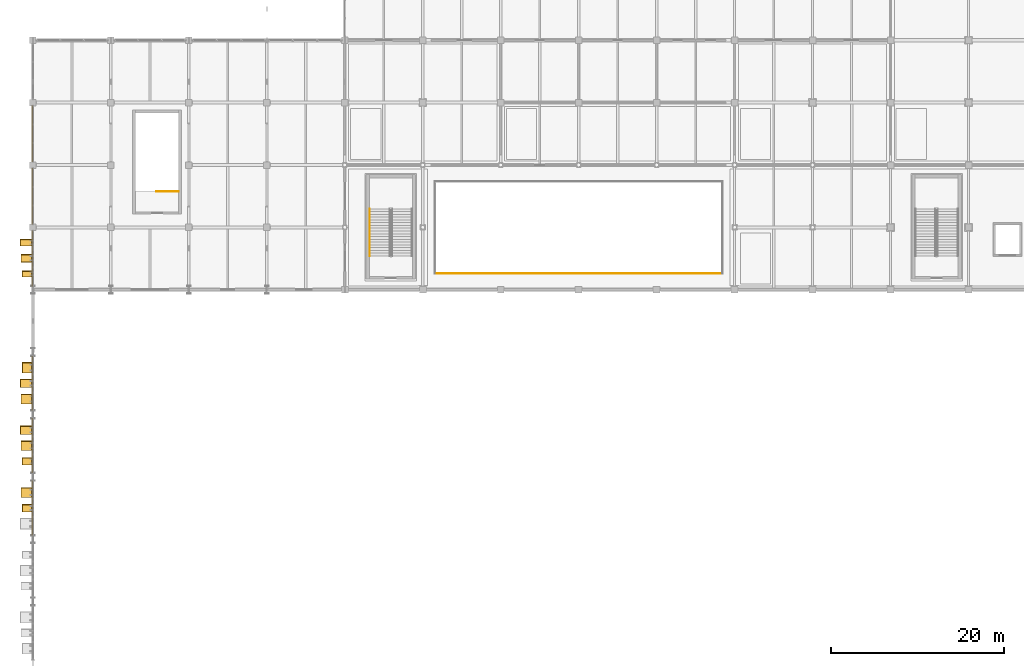
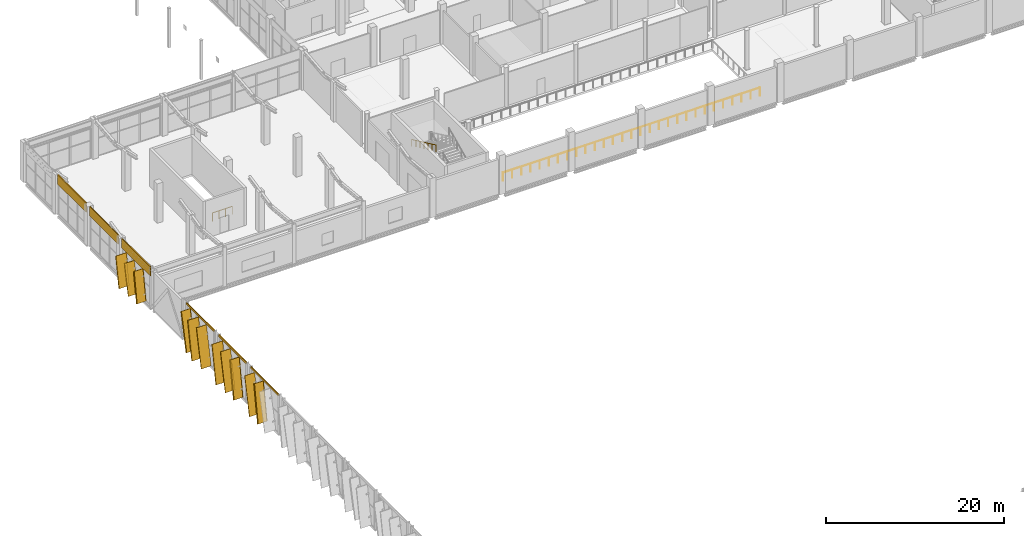
# One storey, part 160 of 189: 17 coverings, 11 shading devices, 3 railings.
"""IFC4 building model written with IfcOpenShell, lengths in metres."""

from ifc_helpers import new_model, si_unit, direction, frame, origin, origin_2d, place, context, subcontext, project, spatial, rectangle, circle, extrude, material, layer, layer_set, material_profile, profile_set, type_object, element, save


model = new_model("IFC4")

# Units and contexts
model_context = context("Model", 3, precision=1e-05, world=origin(), true_north=direction((0.0, 1.0)))
body_context = subcontext(model_context, "Body", "Model", "MODEL_VIEW")
ifc_project = project(units=[si_unit("LENGTHUNIT", "METRE"), si_unit("AREAUNIT", "SQUARE_METRE"), si_unit("VOLUMEUNIT", "CUBIC_METRE"), si_unit("PLANEANGLEUNIT", "RADIAN"), si_unit("MASSUNIT", "GRAM", prefix="KILO")], contexts=[model_context])

# Site, building, storey
site_placement = place(None, origin())
site = spatial("IfcSite", under=ifc_project, at=site_placement, CompositionType="ELEMENT")
building_placement = place(site_placement, origin())
building = spatial("IfcBuilding", under=site, at=building_placement, Name="Celestram Park Convention Centre", CompositionType="ELEMENT")
storey_placement = place(building_placement, frame((0.0, 0.0, 5.39990234375)))
storey = spatial("IfcBuildingStorey", under=building, at=storey_placement, Name="L01", CompositionType="ELEMENT", Elevation=5.39990234375)

# Coverings
ifc_material_1 = material(Name="Anodised Bronze Aluminium Spandrel Cladding", Category="aluminium")
ifc_layer_1 = layer(ifc_material_1, 0.050048828125)
ifc_layer_set_1 = layer_set([ifc_layer_1], Name="Anodised Bronze Aluminium Spandrel Cladding")
covering_type_1 = type_object("IfcCoveringType", Name="ARC-COV-CLD060", PredefinedType="CLADDING", material=ifc_layer_set_1)
covering_1_placement = place(storey_placement, frame((-0.080078125, 111.60009765625, 4.1201171875), z_axis=(0.0, 0.0, 1.0), x_axis=(0.0, 1.0, 0.0)))
element("IfcCovering", 1, at=covering_1_placement, inside=storey, type_object=covering_type_1, Name="Bronze spandrel cladding CL-L01-043", PredefinedType="CLADDING", context=body_context, shape_type="SweptSolid", body=[
    extrude(rectangle(XDim=6.363037109375, YDim=0.1201171875, at=origin_2d()), origin(), (0.0, 0.0, 1.0), 1.280029296875),
])
for number, where, z_axis, x_axis, name in (
    (2, (-0.080078125, 118.800048828125, 4.1201171875), (0.0, 0.0, 1.0), (0.0, 1.0, 0.0), "Bronze spandrel cladding CL-L01-044"),
    (3, (-0.080078125, 126.0, 4.1201171875), (0.0, 0.0, 1.0), (0.0, 1.0, 0.0), "Bronze spandrel cladding CL-L01-045"),
):
    element("IfcCovering", number, at=place(storey_placement, frame(where, z_axis=z_axis, x_axis=x_axis)), inside=storey, type_object=covering_type_1, Name=name, PredefinedType="CLADDING", context=body_context, shape_type="SweptSolid", body=[
        extrude(rectangle(XDim=6.4541015625, YDim=0.1201171875, at=origin_2d()), origin(), (0.0, 0.0, 1.0), 1.280029296875),
    ])
for number, where, z_axis, x_axis, name in (
    (4, (-0.080078125, 82.800048828125, 5.1201171875), (0.0, 0.0, 1.0), (0.0, 1.0, 0.0), "Bronze spandrel cladding CL-L01-120"),
    (5, (-0.080078125, 90.0, 5.1201171875), (0.0, 0.0, 1.0), (0.0, 1.0, 0.0), "Bronze spandrel cladding CL-L01-121"),
    (6, (-0.080078125, 97.199951171875, 5.1201171875), (0.0, 0.0, 1.0), (0.0, 1.0, 0.0), "Bronze spandrel cladding CL-L01-122"),
):
    element("IfcCovering", number, at=place(storey_placement, frame(where, z_axis=z_axis, x_axis=x_axis)), inside=storey, type_object=covering_type_1, Name=name, PredefinedType="CLADDING", context=body_context, shape_type="SweptSolid", body=[
        extrude(rectangle(XDim=6.27197265625, YDim=0.1201171875, at=origin_2d()), origin(), (0.0, 0.0, 1.0), 0.280029296875),
    ])
ifc_material_2 = material(Name="Timber-Toned Anodised Aluminium Alloy 6063-T6", Category="wood")
ifc_material_profile_1 = material_profile(ifc_material_2, rectangle(XDim=1.1201171875, YDim=0.090087890625, at=origin_2d()), Name="REED1120X90")
ifc_profile_set_1 = profile_set([ifc_material_profile_1], Name="Timber-Toned Anodised Aluminium Alloy 6063-T6")
covering_type_2 = type_object("IfcCoveringType", Name="ARC-COV-FIN1120", PredefinedType="CLADDING", material=ifc_profile_set_1)
covering_2_placement = place(storey_placement, frame((-0.639892578125, 109.5185546875, 0.031494140625), z_axis=(0.0, 0.159915531864, 0.987130701918), x_axis=(-1.0, 0.0, 0.0)))
element("IfcCovering", 7, at=covering_2_placement, inside=storey, type_object=covering_type_2, Name="Leaning timber-toned reed fin RFN-L01-0145", PredefinedType="CLADDING", context=body_context, shape_type="SweptSolid", body=[
    extrude(rectangle(XDim=1.1201171875, YDim=0.090087890625, at=origin_2d()), origin(), (0.0, 0.0, 1.0), 4.090087890625),
])
for number, where, z_axis, x_axis, name in (
    (8, (-0.639892578125, 82.39306640625, 0.037841796875), (0.0, 0.159862743671, 0.987139252176), (-1.0, 0.0, 0.0), "Leaning timber-toned reed fin RFN-L01-0370"),
    (9, (-0.639892578125, 87.793212890625, 0.037841796875), (0.0, 0.159862743671, 0.987139252176), (-1.0, 0.0, 0.0), "Leaning timber-toned reed fin RFN-L01-0372"),
    (10, (-0.639892578125, 98.41015625, 0.074462890625), (0.0, 0.231765345143, 0.972771722857), (-1.0, 0.0, 0.0), "Leaning timber-toned reed fin RFN-L01-0377"),
):
    element("IfcCovering", number, at=place(storey_placement, frame(where, z_axis=z_axis, x_axis=x_axis)), inside=storey, type_object=covering_type_2, Name=name, PredefinedType="CLADDING", context=body_context, shape_type="SweptSolid", body=[
        extrude(rectangle(XDim=1.1201171875, YDim=0.090087890625, at=origin_2d()), origin(), (0.0, 0.0, 1.0), 5.090087890625),
    ])
ifc_material_profile_2 = material_profile(ifc_material_2, rectangle(XDim=1.280029296875, YDim=0.090087890625, at=origin_2d()), Name="REED1280X90")
ifc_profile_set_2 = profile_set([ifc_material_profile_2], Name="Timber-Toned Anodised Aluminium Alloy 6063-T6")
covering_type_3 = type_object("IfcCoveringType", Name="ARC-COV-FIN1280", PredefinedType="CLADDING", material=ifc_profile_set_2)
covering_3_placement = place(storey_placement, frame((-0.719970703125, 111.216796875, 0.050537109375), z_axis=(0.0, 0.209630997211, 0.977780570991), x_axis=(-1.0, 0.0, 0.0)))
element("IfcCovering", 11, at=covering_3_placement, inside=storey, type_object=covering_type_3, Name="Leaning timber-toned reed fin RFN-L01-0146", PredefinedType="CLADDING", context=body_context, shape_type="SweptSolid", body=[
    extrude(rectangle(XDim=1.280029296875, YDim=0.090087890625, at=origin_2d()), origin(), (0.0, 0.0, 1.0), 4.090087890625),
])
for number, where, z_axis, x_axis, name in (
    (12, (-0.719970703125, 84.06640625, 0.0615234375), (0.0, 0.20964700641, 0.977777138567), (-1.0, 0.0, 0.0), "Leaning timber-toned reed fin RFN-L01-0371"),
    (13, (-0.719970703125, 89.466552734375, 0.0615234375), (0.0, 0.209601150621, 0.977786969466), (-1.0, 0.0, 0.0), "Leaning timber-toned reed fin RFN-L01-0373"),
    (14, (-0.719970703125, 94.866455078125, 0.0615234375), (0.0, 0.20964700641, 0.977777138567), (-1.0, 0.0, 0.0), "Leaning timber-toned reed fin RFN-L01-0375"),
):
    element("IfcCovering", number, at=place(storey_placement, frame(where, z_axis=z_axis, x_axis=x_axis)), inside=storey, type_object=covering_type_3, Name=name, PredefinedType="CLADDING", context=body_context, shape_type="SweptSolid", body=[
        extrude(rectangle(XDim=1.280029296875, YDim=0.090087890625, at=origin_2d()), origin(), (0.0, 0.0, 1.0), 5.090087890625),
    ])
ifc_material_profile_3 = material_profile(ifc_material_2, rectangle(XDim=1.419921875, YDim=0.090087890625, at=origin_2d()), Name="REED1420X90")
ifc_profile_set_3 = profile_set([ifc_material_profile_3], Name="Timber-Toned Anodised Aluminium Alloy 6063-T6")
covering_type_4 = type_object("IfcCoveringType", Name="ARC-COV-FIN1420", PredefinedType="CLADDING", material=ifc_profile_set_3)
covering_4_placement = place(storey_placement, frame((-0.7900390625, 113.076416015625, 0.038818359375), z_axis=(0.0, 0.180513636293, 0.98357248188), x_axis=(-1.0, 0.0, 0.0)))
element("IfcCovering", 15, at=covering_4_placement, inside=storey, type_object=covering_type_4, Name="Leaning timber-toned reed fin RFN-L01-0147", PredefinedType="CLADDING", context=body_context, shape_type="SweptSolid", body=[
    extrude(rectangle(XDim=1.419921875, YDim=0.090087890625, at=origin_2d()), origin(), (0.0, 0.0, 1.0), 4.08984375),
])
for number, where, z_axis, x_axis, name in (
    (16, (-0.7900390625, 91.340576171875, 0.046875), (0.0, 0.180539781493, 0.98356768313), (-1.0, 0.0, 0.0), "Leaning timber-toned reed fin RFN-L01-0374"),
    (17, (-0.7900390625, 96.740478515625, 0.046875), (0.0, 0.180539781493, 0.98356768313), (-1.0, 0.0, 0.0), "Leaning timber-toned reed fin RFN-L01-0376"),
):
    element("IfcCovering", number, at=place(storey_placement, frame(where, z_axis=z_axis, x_axis=x_axis)), inside=storey, type_object=covering_type_4, Name=name, PredefinedType="CLADDING", context=body_context, shape_type="SweptSolid", body=[
        extrude(rectangle(XDim=1.419921875, YDim=0.090087890625, at=origin_2d()), origin(), (0.0, 0.0, 1.0), 5.090087890625),
    ])

# Shading devices
ifc_material_3 = material(Name="Anodised Bronze Aluminium Alloy 6063-T6", Category="aluminium")
ifc_material_profile_4 = material_profile(ifc_material_3, rectangle(XDim=1.280029296875, YDim=0.080078125, at=origin_2d()), Name="FIN1280X80")
ifc_profile_set_4 = profile_set([ifc_material_profile_4], Name="Anodised Bronze Aluminium Alloy 6063-T6")
shading_device_type = type_object("IfcShadingDeviceType", Name="ARC-FIN-BZ1280", PredefinedType="USERDEFINED", material=ifc_profile_set_4)
for number, where, z_axis, x_axis, name in (
    (18, (-0.639892578125, 109.5185546875, 0.031494140625), (0.0, 0.159915531864, 0.987130701918), (-1.0, 0.0, 0.0), "Expressive solar fin FN-L01-0145"),
    (19, (-0.719970703125, 111.216796875, 0.050537109375), (0.0, 0.209630997211, 0.977780570991), (-1.0, 0.0, 0.0), "Expressive solar fin FN-L01-0146"),
):
    element("IfcShadingDevice", number, at=place(storey_placement, frame(where, z_axis=z_axis, x_axis=x_axis)), inside=storey, type_object=shading_device_type, Name=name, ObjectType="SOLAR_FIN", PredefinedType="USERDEFINED", context=body_context, shape_type="SweptSolid", body=[
        extrude(rectangle(XDim=1.280029296875, YDim=0.080078125, at=origin_2d()), origin(), (0.0, 0.0, 1.0), 4.090087890625),
    ])
shading_device_placement = place(storey_placement, frame((-0.7900390625, 113.076416015625, 0.038818359375), z_axis=(0.0, 0.180513636293, 0.98357248188), x_axis=(-1.0, 0.0, 0.0)))
element("IfcShadingDevice", 20, at=shading_device_placement, inside=storey, type_object=shading_device_type, Name="Expressive solar fin FN-L01-0147", ObjectType="SOLAR_FIN", PredefinedType="USERDEFINED", context=body_context, shape_type="SweptSolid", body=[
    extrude(rectangle(XDim=1.280029296875, YDim=0.080078125, at=origin_2d()), origin(), (0.0, 0.0, 1.0), 4.08984375),
])
for number, where, z_axis, x_axis, name in (
    (21, (-0.639892578125, 82.39306640625, 0.037841796875), (0.0, 0.159862743671, 0.987139252176), (-1.0, 0.0, 0.0), "Expressive solar fin FN-L01-0370"),
    (22, (-0.719970703125, 84.06640625, 0.0615234375), (0.0, 0.20964700641, 0.977777138567), (-1.0, 0.0, 0.0), "Expressive solar fin FN-L01-0371"),
    (23, (-0.639892578125, 87.793212890625, 0.037841796875), (0.0, 0.159862743671, 0.987139252176), (-1.0, 0.0, 0.0), "Expressive solar fin FN-L01-0372"),
    (24, (-0.719970703125, 89.466552734375, 0.0615234375), (0.0, 0.209601150621, 0.977786969466), (-1.0, 0.0, 0.0), "Expressive solar fin FN-L01-0373"),
    (25, (-0.7900390625, 91.340576171875, 0.046875), (0.0, 0.180539781493, 0.98356768313), (-1.0, 0.0, 0.0), "Expressive solar fin FN-L01-0374"),
    (26, (-0.719970703125, 94.866455078125, 0.0615234375), (0.0, 0.20964700641, 0.977777138567), (-1.0, 0.0, 0.0), "Expressive solar fin FN-L01-0375"),
    (27, (-0.7900390625, 96.740478515625, 0.046875), (0.0, 0.180539781493, 0.98356768313), (-1.0, 0.0, 0.0), "Expressive solar fin FN-L01-0376"),
    (28, (-0.639892578125, 98.41015625, 0.074462890625), (0.0, 0.231765345143, 0.972771722857), (-1.0, 0.0, 0.0), "Expressive solar fin FN-L01-0377"),
):
    element("IfcShadingDevice", number, at=place(storey_placement, frame(where, z_axis=z_axis, x_axis=x_axis)), inside=storey, type_object=shading_device_type, Name=name, ObjectType="SOLAR_FIN", PredefinedType="USERDEFINED", context=body_context, shape_type="SweptSolid", body=[
        extrude(rectangle(XDim=1.280029296875, YDim=0.080078125, at=origin_2d()), origin(), (0.0, 0.0, 1.0), 5.090087890625),
    ])

# Railings
ifc_material_4 = material(Name="Stainless Steel AISI 316L & Laminated Glass", Category="steel")
ifc_layer_2 = layer(ifc_material_4, 0.06005859375)
ifc_layer_set_2 = layer_set([ifc_layer_2], Name="Stainless Steel AISI 316L & Laminated Glass")
railing_type_1 = type_object("IfcRailingType", Name="ARC-RL-GRD1120", PredefinedType="GUARDRAIL", material=ifc_layer_set_2)
railing_1_placement = place(storey_placement, frame((46.3798828125, 109.8798828125, 0.0)))
element("IfcRailing", 29, at=railing_1_placement, inside=storey, type_object=railing_type_1, Name="Atrium/balcony balustrade RL-L01-VB019", PredefinedType="GUARDRAIL", context=body_context, shape_type="SweptSolid", body=[
    extrude(circle(Radius=0.02392578125, at=origin_2d()), frame((0.0, 0.0, 1.09619140625), z_axis=(1.0, 0.0, 0.0), x_axis=(0.0, 1.0, 0.0)), (0.0, 0.0, 1.0), 33.240234375),
    extrude(circle(Radius=0.02099609375, at=origin_2d()), origin(), (0.0, 0.0, 1.0), 1.072021484375),
    extrude(circle(Radius=0.02099609375, at=origin_2d()), frame((1.187255859375, 0.0, 0.0)), (0.0, 0.0, 1.0), 1.072021484375),
    extrude(circle(Radius=0.02099609375, at=origin_2d()), frame((2.374267578125, 0.0, 0.0)), (0.0, 0.0, 1.0), 1.072021484375),
    extrude(circle(Radius=0.02099609375, at=origin_2d()), frame((3.5615234375, 0.0, 0.0)), (0.0, 0.0, 1.0), 1.072021484375),
    extrude(circle(Radius=0.02099609375, at=origin_2d()), frame((4.74853515625, 0.0, 0.0)), (0.0, 0.0, 1.0), 1.072021484375),
    extrude(circle(Radius=0.02099609375, at=origin_2d()), frame((5.935791015625, 0.0, 0.0)), (0.0, 0.0, 1.0), 1.072021484375),
    extrude(circle(Radius=0.02099609375, at=origin_2d()), frame((7.122802734375, 0.0, 0.0)), (0.0, 0.0, 1.0), 1.072021484375),
    extrude(circle(Radius=0.02099609375, at=origin_2d()), frame((8.31005859375, 0.0, 0.0)), (0.0, 0.0, 1.0), 1.072021484375),
    extrude(circle(Radius=0.02099609375, at=origin_2d()), frame((9.497314453125, 0.0, 0.0)), (0.0, 0.0, 1.0), 1.072021484375),
    extrude(circle(Radius=0.02099609375, at=origin_2d()), frame((10.684326171875, 0.0, 0.0)), (0.0, 0.0, 1.0), 1.072021484375),
    extrude(circle(Radius=0.02099609375, at=origin_2d()), frame((11.87158203125, 0.0, 0.0)), (0.0, 0.0, 1.0), 1.072021484375),
    extrude(circle(Radius=0.02099609375, at=origin_2d()), frame((13.05859375, 0.0, 0.0)), (0.0, 0.0, 1.0), 1.072021484375),
    extrude(circle(Radius=0.02099609375, at=origin_2d()), frame((14.245849609375, 0.0, 0.0)), (0.0, 0.0, 1.0), 1.072021484375),
    extrude(circle(Radius=0.02099609375, at=origin_2d()), frame((15.432861328125, 0.0, 0.0)), (0.0, 0.0, 1.0), 1.072021484375),
    extrude(circle(Radius=0.02099609375, at=origin_2d()), frame((16.6201171875, 0.0, 0.0)), (0.0, 0.0, 1.0), 1.072021484375),
    extrude(circle(Radius=0.02099609375, at=origin_2d()), frame((17.807373046875, 0.0, 0.0)), (0.0, 0.0, 1.0), 1.072021484375),
    extrude(circle(Radius=0.02099609375, at=origin_2d()), frame((18.994384765625, 0.0, 0.0)), (0.0, 0.0, 1.0), 1.072021484375),
    extrude(circle(Radius=0.02099609375, at=origin_2d()), frame((20.181640625, 0.0, 0.0)), (0.0, 0.0, 1.0), 1.072021484375),
    extrude(circle(Radius=0.02099609375, at=origin_2d()), frame((21.36865234375, 0.0, 0.0)), (0.0, 0.0, 1.0), 1.072021484375),
    extrude(circle(Radius=0.02099609375, at=origin_2d()), frame((22.555908203125, 0.0, 0.0)), (0.0, 0.0, 1.0), 1.072021484375),
    extrude(circle(Radius=0.02099609375, at=origin_2d()), frame((23.742919921875, 0.0, 0.0)), (0.0, 0.0, 1.0), 1.072021484375),
    extrude(circle(Radius=0.02099609375, at=origin_2d()), frame((24.93017578125, 0.0, 0.0)), (0.0, 0.0, 1.0), 1.072021484375),
    extrude(circle(Radius=0.02099609375, at=origin_2d()), frame((26.117431640625, 0.0, 0.0)), (0.0, 0.0, 1.0), 1.072021484375),
    extrude(circle(Radius=0.02099609375, at=origin_2d()), frame((27.304443359375, 0.0, 0.0)), (0.0, 0.0, 1.0), 1.072021484375),
    extrude(circle(Radius=0.02099609375, at=origin_2d()), frame((28.49169921875, 0.0, 0.0)), (0.0, 0.0, 1.0), 1.072021484375),
    extrude(circle(Radius=0.02099609375, at=origin_2d()), frame((29.6787109375, 0.0, 0.0)), (0.0, 0.0, 1.0), 1.072021484375),
    extrude(circle(Radius=0.02099609375, at=origin_2d()), frame((30.865966796875, 0.0, 0.0)), (0.0, 0.0, 1.0), 1.072021484375),
    extrude(circle(Radius=0.02099609375, at=origin_2d()), frame((32.052978515625, 0.0, 0.0)), (0.0, 0.0, 1.0), 1.072021484375),
    extrude(circle(Radius=0.02099609375, at=origin_2d()), frame((33.240234375, 0.0, 0.0)), (0.0, 0.0, 1.0), 1.072021484375),
])
railing_2_placement = place(storey_placement, frame((16.800048828125, 119.35009765625, 0.0)))
element("IfcRailing", 30, at=railing_2_placement, inside=storey, type_object=railing_type_1, Name="L01 ST-15 top well guard 1", PredefinedType="GUARDRAIL", context=body_context, shape_type="SweptSolid", body=[
    extrude(circle(Radius=0.02392578125, at=origin_2d()), frame((0.0, 0.0, 1.09619140625), z_axis=(-1.0, 0.0, 0.0), x_axis=(0.0, -1.0, 0.0)), (0.0, 0.0, 1.0), 2.56005859375),
    extrude(circle(Radius=0.02099609375, at=origin_2d()), origin(), (0.0, 0.0, 1.0), 1.072021484375),
    extrude(circle(Radius=0.02099609375, at=origin_2d()), frame((-0.853271484375, 0.0, 0.0)), (0.0, 0.0, 1.0), 1.072021484375),
    extrude(circle(Radius=0.02099609375, at=origin_2d()), frame((-1.706787109375, 0.0, 0.0)), (0.0, 0.0, 1.0), 1.072021484375),
    extrude(circle(Radius=0.02099609375, at=origin_2d()), frame((-2.56005859375, 0.0, 0.0)), (0.0, 0.0, 1.0), 1.072021484375),
])
ifc_material_5 = material(Name="Brushed Stainless Steel AISI 304", Category="steel")
ifc_layer_3 = layer(ifc_material_5, 0.048095703125)
ifc_layer_set_3 = layer_set([ifc_layer_3], Name="Brushed Stainless Steel AISI 304")
railing_type_2 = type_object("IfcRailingType", Name="ARC-RL-HND915", PredefinedType="HANDRAIL", material=ifc_layer_set_3)
railing_3_placement = place(storey_placement, frame((38.8759765625, 117.340087890625, 2.85009765625)))
element("IfcRailing", 31, at=railing_3_placement, inside=storey, type_object=railing_type_2, Name="L01 ST-13 stair handrail 2", PredefinedType="HANDRAIL", context=body_context, shape_type="SweptSolid", body=[
    extrude(circle(Radius=0.02392578125, at=origin_2d()), frame((0.0, 0.0, 0.8759765625), z_axis=(0.0, -0.905461375974, 0.424428670827), x_axis=(1.0, 0.0, 0.0)), (0.0, 0.0, 1.0), 6.00830078125),
    extrude(circle(Radius=0.02099609375, at=origin_2d()), origin(), (0.0, 0.0, 1.0), 0.851806640625),
    extrude(circle(Radius=0.02099609375, at=origin_2d()), frame((0.0, -0.90673828125, 0.425048828125)), (0.0, 0.0, 1.0), 0.851806640625),
    extrude(circle(Radius=0.02099609375, at=origin_2d()), frame((0.0, -1.8134765625, 0.85009765625)), (0.0, 0.0, 1.0), 0.851806640625),
    extrude(circle(Radius=0.02099609375, at=origin_2d()), frame((0.0, -2.72021484375, 1.27490234375)), (0.0, 0.0, 1.0), 0.851806640625),
    extrude(circle(Radius=0.02099609375, at=origin_2d()), frame((0.0, -3.626708984375, 1.699951171875)), (0.0, 0.0, 1.0), 0.851806640625),
    extrude(circle(Radius=0.02099609375, at=origin_2d()), frame((0.0, -4.533447265625, 2.125)), (0.0, 0.0, 1.0), 0.851806640625),
    extrude(circle(Radius=0.02099609375, at=origin_2d()), frame((0.0, -5.440185546875, 2.550048828125)), (0.0, 0.0, 1.0), 0.851806640625),
])

save(model, "model.ifc")
